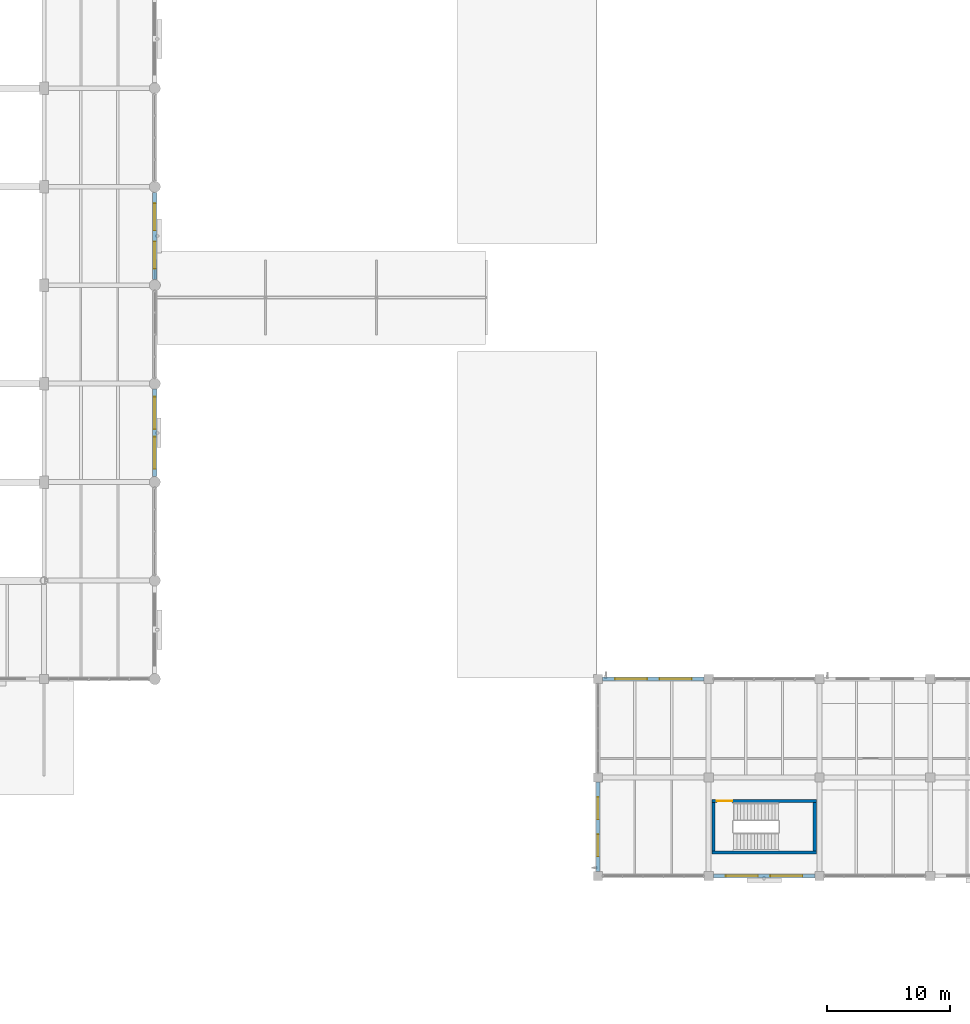
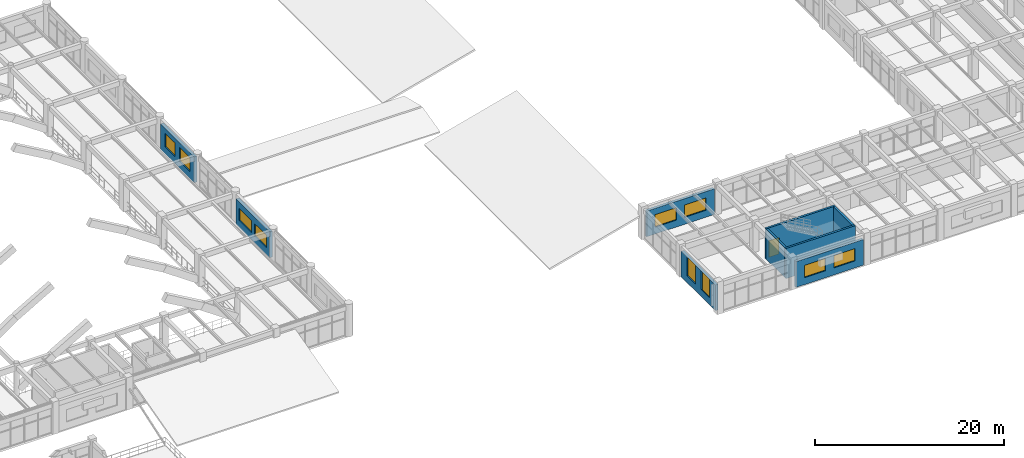
# One storey, part 125 of 148: 10 windows, 9 walls, 1 door, 11 openings.
"""IFC4 building model written with IfcOpenShell, lengths in metres."""

from ifc_helpers import new_model, si_unit, derived_unit, direction, frame, frame_2d, origin, place, context, subcontext, project, spatial, rectangle, extrude, material, layer, layer_set, type_object, element, fill, save


model = new_model("IFC4")

# Units and contexts
model_context = context("Model", 3, precision=1e-05, world=origin(), true_north=direction((0.0, 1.0)))
body_context = subcontext(model_context, "Body", "Model", "MODEL_VIEW")
ifc_project = project(units=[si_unit("LENGTHUNIT", "METRE"), si_unit("AREAUNIT", "SQUARE_METRE"), si_unit("VOLUMEUNIT", "CUBIC_METRE"), si_unit("PLANEANGLEUNIT", "RADIAN"), si_unit("MASSUNIT", "GRAM", prefix="KILO"), derived_unit("THERMALTRANSMITTANCEUNIT", [(si_unit("MASSUNIT", "GRAM", prefix="KILO"), 1), (si_unit("TIMEUNIT", "SECOND"), -3), (si_unit("THERMODYNAMICTEMPERATUREUNIT", "KELVIN"), -1)])], contexts=[model_context])

# Site, building, storey
site_placement = place(None, origin())
site = spatial("IfcSite", under=ifc_project, at=site_placement, CompositionType="ELEMENT")
building_placement = place(site_placement, origin())
building = spatial("IfcBuilding", under=site, at=building_placement, Name="Zhenchuan Archway Interchange", CompositionType="ELEMENT")
storey_placement = place(building_placement, frame((0.0, 0.0, 10.199951171875)))
storey = spatial("IfcBuildingStorey", under=building, at=storey_placement, Name="L02", CompositionType="ELEMENT", Elevation=10.199951171875)

# Wall, openings, windows
ifc_material_1 = material(Name="Granite Stone Cladding", Category="masonry")
ifc_layer_1 = layer(ifc_material_1, 0.320068359375)
ifc_layer_set_1 = layer_set([ifc_layer_1], Name="Granite Stone Cladding")
wall_type_1 = type_object("IfcWallType", Name="EW_GRANITE_320", PredefinedType="STANDARD", material=ifc_layer_set_1)
wall_1_placement = place(storey_placement, frame((125.626953125, 8.0, 0.0), z_axis=(0.0, 0.0, 1.0), x_axis=(-1.0, 0.0, 0.0)))
wall_1 = element("IfcWall", 1, at=wall_1_placement, inside=storey, type_object=wall_type_1, Name="Exterior wall L02-103", PredefinedType="STANDARD", context=body_context, shape_type="SweptSolid", body=[
    extrude(rectangle(XDim=8.25390625, YDim=0.320068359375, at=frame_2d((4.126953125, 0.0))), origin(), (0.0, 0.0, 1.0), 3.320068359375),
])
opening_1_placement = place(wall_1_placement, frame((1.01806640625, 0.0, 0.89990234375)))
opening_1 = element("IfcOpeningElement", 2, at=opening_1_placement, cuts=wall_1, Name="Opening W-09", PredefinedType="OPENING", context=body_context, shape_type="SweptSolid", body=[
    extrude(rectangle(XDim=2.60009765625, YDim=1.60009765625, at=frame_2d((1.300048828125, 0.800048828125))), frame((0.0, 0.171875, 0.0), z_axis=(0.0, -1.0, 0.0), x_axis=(1.0, 0.0, 0.0)), (0.0, 0.0, 1.0), 0.343994140625),
])
opening_2_placement = place(wall_1_placement, frame((4.635986328125, 0.0, 0.89990234375)))
opening_2 = element("IfcOpeningElement", 3, at=opening_2_placement, cuts=wall_1, Name="Opening W-09", PredefinedType="OPENING", context=body_context, shape_type="SweptSolid", body=[
    extrude(rectangle(XDim=2.60009765625, YDim=1.60009765625, at=frame_2d((1.300048828125, 0.800048828125))), frame((0.0, 0.171875, 0.0), z_axis=(0.0, -1.0, 0.0), x_axis=(1.0, 0.0, 0.0)), (0.0, 0.0, 1.0), 0.343994140625),
])
ifc_material_2 = material(Name="Double Low-E Insulated Glazing", Category="glass")
window_type_1 = type_object("IfcWindowType", Name="WN_MOD_2600x1600", PartitioningType="SINGLE_PANEL", PredefinedType="WINDOW", material=ifc_material_2)
window_1_placement = place(opening_1_placement, origin())
window_1 = element("IfcWindow", 4, at=window_1_placement, inside=storey, type_object=window_type_1, Name="Window L02-0250", OverallHeight=1.60009765625, OverallWidth=2.60009765625, PartitioningType="SINGLE_PANEL", PredefinedType="WINDOW", context=body_context, shape_type="SweptSolid", body=[
    extrude(rectangle(XDim=2.60009765625, YDim=1.60009765625, at=frame_2d((1.300048828125, 0.800048828125))), frame((0.0, 0.030029296875, 0.0), z_axis=(0.0, -1.0, 0.0), x_axis=(1.0, 0.0, 0.0)), (0.0, 0.0, 1.0), 0.06005859375),
])
fill(opening_1, window_1)
window_2_placement = place(opening_2_placement, origin())
window_2 = element("IfcWindow", 5, at=window_2_placement, inside=storey, type_object=window_type_1, Name="Window L02-0251", OverallHeight=1.60009765625, OverallWidth=2.60009765625, PartitioningType="SINGLE_PANEL", PredefinedType="WINDOW", context=body_context, shape_type="SweptSolid", body=[
    extrude(rectangle(XDim=2.60009765625, YDim=1.60009765625, at=frame_2d((1.300048828125, 0.800048828125))), frame((0.0, 0.030029296875, 0.0), z_axis=(0.0, -1.0, 0.0), x_axis=(1.0, 0.0, 0.0)), (0.0, 0.0, 1.0), 0.06005859375),
])
fill(opening_2, window_2)

wall_2_placement = place(storey_placement, frame((108.0, 8.373046875, 0.0), z_axis=(0.0, 0.0, 1.0), x_axis=(0.0, 1.0, 0.0)))
wall_2 = element("IfcWall", 6, at=wall_2_placement, inside=storey, type_object=wall_type_1, Name="Exterior wall L02-105", PredefinedType="STANDARD", context=body_context, shape_type="SweptSolid", body=[
    extrude(rectangle(XDim=7.25390625, YDim=0.320068359375, at=frame_2d((3.626953125, 0.0))), origin(), (0.0, 0.0, 1.0), 3.320068359375),
])
opening_3_placement = place(wall_2_placement, frame((1.218017578125, 0.0, 0.89990234375)))
opening_3 = element("IfcOpeningElement", 7, at=opening_3_placement, cuts=wall_2, Name="Opening W-03", PredefinedType="OPENING", context=body_context, shape_type="SweptSolid", body=[
    extrude(rectangle(XDim=1.800048828125, YDim=2.39990234375, at=frame_2d((0.89990234375, 1.199951171875))), frame((0.0, 0.171875, 0.0), z_axis=(0.0, -1.0, 0.0), x_axis=(1.0, 0.0, 0.0)), (0.0, 0.0, 1.0), 0.343994140625),
])
opening_4_placement = place(wall_2_placement, frame((4.236083984375, 0.0, 0.89990234375)))
opening_4 = element("IfcOpeningElement", 8, at=opening_4_placement, cuts=wall_2, Name="Opening W-03", PredefinedType="OPENING", context=body_context, shape_type="SweptSolid", body=[
    extrude(rectangle(XDim=1.800048828125, YDim=2.39990234375, at=frame_2d((0.89990234375, 1.199951171875))), frame((0.0, 0.171875, 0.0), z_axis=(0.0, -1.0, 0.0), x_axis=(1.0, 0.0, 0.0)), (0.0, 0.0, 1.0), 0.343994140625),
])
window_type_2 = type_object("IfcWindowType", Name="WN_PUNCH_1800x2400", PartitioningType="SINGLE_PANEL", PredefinedType="WINDOW", material=ifc_material_2)
window_3_placement = place(opening_3_placement, origin())
window_3 = element("IfcWindow", 9, at=window_3_placement, inside=storey, type_object=window_type_2, Name="Window L02-0252", OverallHeight=2.39990234375, OverallWidth=1.800048828125, PartitioningType="SINGLE_PANEL", PredefinedType="WINDOW", context=body_context, shape_type="SweptSolid", body=[
    extrude(rectangle(XDim=1.800048828125, YDim=2.39990234375, at=frame_2d((0.89990234375, 1.199951171875))), frame((0.0, 0.030029296875, 0.0), z_axis=(0.0, -1.0, 0.0), x_axis=(1.0, 0.0, 0.0)), (0.0, 0.0, 1.0), 0.06005859375),
])
fill(opening_3, window_3)
window_4_placement = place(opening_4_placement, origin())
window_4 = element("IfcWindow", 10, at=window_4_placement, inside=storey, type_object=window_type_2, Name="Window L02-0253", OverallHeight=2.39990234375, OverallWidth=1.800048828125, PartitioningType="SINGLE_PANEL", PredefinedType="WINDOW", context=body_context, shape_type="SweptSolid", body=[
    extrude(rectangle(XDim=1.800048828125, YDim=2.39990234375, at=frame_2d((0.89990234375, 1.199951171875))), frame((0.0, 0.030029296875, 0.0), z_axis=(0.0, -1.0, 0.0), x_axis=(1.0, 0.0, 0.0)), (0.0, 0.0, 1.0), 0.06005859375),
])
fill(opening_4, window_4)

wall_3_placement = place(storey_placement, frame((108.373046875, 24.0, 0.0), z_axis=(0.0, 0.0, 1.0), x_axis=(1.0, 0.0, 0.0)))
wall_3 = element("IfcWall", 11, at=wall_3_placement, inside=storey, type_object=wall_type_1, Name="Exterior wall L02-107", PredefinedType="STANDARD", context=body_context, shape_type="SweptSolid", body=[
    extrude(rectangle(XDim=8.25390625, YDim=0.320068359375, at=frame_2d((4.126953125, 0.0))), origin(), (0.0, 0.0, 1.0), 3.320068359375),
])
opening_5_placement = place(wall_3_placement, frame((1.01806640625, 0.0, 0.89990234375)))
opening_5 = element("IfcOpeningElement", 12, at=opening_5_placement, cuts=wall_3, Name="Opening W-09", PredefinedType="OPENING", context=body_context, shape_type="SweptSolid", body=[
    extrude(rectangle(XDim=2.60009765625, YDim=1.60009765625, at=frame_2d((1.300048828125, 0.800048828125))), frame((0.0, 0.171875, 0.0), z_axis=(0.0, -1.0, 0.0), x_axis=(1.0, 0.0, 0.0)), (0.0, 0.0, 1.0), 0.343994140625),
])
opening_6_placement = place(wall_3_placement, frame((4.635986328125, 0.0, 0.89990234375)))
opening_6 = element("IfcOpeningElement", 13, at=opening_6_placement, cuts=wall_3, Name="Opening W-09", PredefinedType="OPENING", context=body_context, shape_type="SweptSolid", body=[
    extrude(rectangle(XDim=2.60009765625, YDim=1.60009765625, at=frame_2d((1.300048828125, 0.800048828125))), frame((0.0, 0.171875, 0.0), z_axis=(0.0, -1.0, 0.0), x_axis=(1.0, 0.0, 0.0)), (0.0, 0.0, 1.0), 0.343994140625),
])
window_5_placement = place(opening_5_placement, origin())
window_5 = element("IfcWindow", 14, at=window_5_placement, inside=storey, type_object=window_type_1, Name="Window L02-0254", OverallHeight=1.60009765625, OverallWidth=2.60009765625, PartitioningType="SINGLE_PANEL", PredefinedType="WINDOW", context=body_context, shape_type="SweptSolid", body=[
    extrude(rectangle(XDim=2.60009765625, YDim=1.60009765625, at=frame_2d((1.300048828125, 0.800048828125))), frame((0.0, 0.030029296875, 0.0), z_axis=(0.0, -1.0, 0.0), x_axis=(1.0, 0.0, 0.0)), (0.0, 0.0, 1.0), 0.06005859375),
])
fill(opening_5, window_5)
window_6_placement = place(opening_6_placement, origin())
window_6 = element("IfcWindow", 15, at=window_6_placement, inside=storey, type_object=window_type_1, Name="Window L02-0255", OverallHeight=1.60009765625, OverallWidth=2.60009765625, PartitioningType="SINGLE_PANEL", PredefinedType="WINDOW", context=body_context, shape_type="SweptSolid", body=[
    extrude(rectangle(XDim=2.60009765625, YDim=1.60009765625, at=frame_2d((1.300048828125, 0.800048828125))), frame((0.0, 0.030029296875, 0.0), z_axis=(0.0, -1.0, 0.0), x_axis=(1.0, 0.0, 0.0)), (0.0, 0.0, 1.0), 0.06005859375),
])
fill(opening_6, window_6)

ifc_material_3 = material(Name="Terracotta Masonry", Category="masonry")
ifc_layer_2 = layer(ifc_material_3, 0.340087890625)
ifc_layer_set_2 = layer_set([ifc_layer_2], Name="Terracotta Masonry")
wall_type_2 = type_object("IfcWallType", Name="EW_TERRA_340", PredefinedType="STANDARD", material=ifc_layer_set_2)
wall_4_placement = place(storey_placement, frame((72.0, 63.552978515625, 0.0), z_axis=(0.0, 0.0, 1.0), x_axis=(0.0, -1.0, 0.0)))
wall_4 = element("IfcWall", 16, at=wall_4_placement, inside=storey, type_object=wall_type_2, Name="Exterior wall L02-021", PredefinedType="STANDARD", context=body_context, shape_type="SweptSolid", body=[
    extrude(rectangle(XDim=7.10595703125, YDim=0.340087890625, at=frame_2d((3.552978515625, 0.0))), origin(), (0.0, 0.0, 1.0), 3.340087890625),
])
opening_7_placement = place(wall_4_placement, frame((0.902099609375, 0.0, 0.89990234375)))
opening_7 = element("IfcOpeningElement", 17, at=opening_7_placement, cuts=wall_4, Name="Opening W-08", PredefinedType="OPENING", context=body_context, shape_type="SweptSolid", body=[
    extrude(rectangle(XDim=2.199951171875, YDim=1.800048828125, at=frame_2d((1.10009765625, 0.89990234375))), frame((0.0, 0.18212890625, 0.0), z_axis=(0.0, -1.0, 0.0), x_axis=(1.0, 0.0, 0.0)), (0.0, 0.0, 1.0), 0.364013671875),
])
opening_8_placement = place(wall_4_placement, frame((4.00390625, 0.0, 0.89990234375)))
opening_8 = element("IfcOpeningElement", 18, at=opening_8_placement, cuts=wall_4, Name="Opening W-08", PredefinedType="OPENING", context=body_context, shape_type="SweptSolid", body=[
    extrude(rectangle(XDim=2.199951171875, YDim=1.800048828125, at=frame_2d((1.10009765625, 0.89990234375))), frame((0.0, 0.18212890625, 0.0), z_axis=(0.0, -1.0, 0.0), x_axis=(1.0, 0.0, 0.0)), (0.0, 0.0, 1.0), 0.364013671875),
])
window_type_3 = type_object("IfcWindowType", Name="WN_MOD_2200x1800", PartitioningType="SINGLE_PANEL", PredefinedType="WINDOW", material=ifc_material_2)
window_7_placement = place(opening_7_placement, origin())
window_7 = element("IfcWindow", 19, at=window_7_placement, inside=storey, type_object=window_type_3, Name="Window L02-0202", OverallHeight=1.800048828125, OverallWidth=2.199951171875, PartitioningType="SINGLE_PANEL", PredefinedType="WINDOW", context=body_context, shape_type="SweptSolid", body=[
    extrude(rectangle(XDim=2.199951171875, YDim=1.800048828125, at=frame_2d((1.10009765625, 0.89990234375))), frame((0.0, 0.030029296875, 0.0), z_axis=(0.0, -1.0, 0.0), x_axis=(1.0, 0.0, 0.0)), (0.0, 0.0, 1.0), 0.06005859375),
])
fill(opening_7, window_7)
window_8_placement = place(opening_8_placement, origin())
window_8 = element("IfcWindow", 20, at=window_8_placement, inside=storey, type_object=window_type_3, Name="Window L02-0203", OverallHeight=1.800048828125, OverallWidth=2.199951171875, PartitioningType="SINGLE_PANEL", PredefinedType="WINDOW", context=body_context, shape_type="SweptSolid", body=[
    extrude(rectangle(XDim=2.199951171875, YDim=1.800048828125, at=frame_2d((1.10009765625, 0.89990234375))), frame((0.0, 0.030029296875, 0.0), z_axis=(0.0, -1.0, 0.0), x_axis=(1.0, 0.0, 0.0)), (0.0, 0.0, 1.0), 0.06005859375),
])
fill(opening_8, window_8)

wall_5_placement = place(storey_placement, frame((72.0, 47.552978515625, 0.0), z_axis=(0.0, 0.0, 1.0), x_axis=(0.0, -1.0, 0.0)))
wall_5 = element("IfcWall", 21, at=wall_5_placement, inside=storey, type_object=wall_type_2, Name="Exterior wall L02-023", PredefinedType="STANDARD", context=body_context, shape_type="SweptSolid", body=[
    extrude(rectangle(XDim=7.10595703125, YDim=0.340087890625, at=frame_2d((3.552978515625, 0.0))), origin(), (0.0, 0.0, 1.0), 3.340087890625),
])
opening_9_placement = place(wall_5_placement, frame((0.63525390625, 0.0, 0.89990234375)))
opening_9 = element("IfcOpeningElement", 22, at=opening_9_placement, cuts=wall_5, Name="Opening W-09", PredefinedType="OPENING", context=body_context, shape_type="SweptSolid", body=[
    extrude(rectangle(XDim=2.60009765625, YDim=1.60009765625, at=frame_2d((1.300048828125, 0.800048828125))), frame((0.0, 0.18212890625, 0.0), z_axis=(0.0, -1.0, 0.0), x_axis=(1.0, 0.0, 0.0)), (0.0, 0.0, 1.0), 0.364013671875),
])
opening_10_placement = place(wall_5_placement, frame((3.87060546875, 0.0, 0.89990234375)))
opening_10 = element("IfcOpeningElement", 23, at=opening_10_placement, cuts=wall_5, Name="Opening W-09", PredefinedType="OPENING", context=body_context, shape_type="SweptSolid", body=[
    extrude(rectangle(XDim=2.60009765625, YDim=1.60009765625, at=frame_2d((1.300048828125, 0.800048828125))), frame((0.0, 0.18212890625, 0.0), z_axis=(0.0, -1.0, 0.0), x_axis=(1.0, 0.0, 0.0)), (0.0, 0.0, 1.0), 0.364013671875),
])
window_9_placement = place(opening_9_placement, origin())
window_9 = element("IfcWindow", 24, at=window_9_placement, inside=storey, type_object=window_type_1, Name="Window L02-0204", OverallHeight=1.60009765625, OverallWidth=2.60009765625, PartitioningType="SINGLE_PANEL", PredefinedType="WINDOW", context=body_context, shape_type="SweptSolid", body=[
    extrude(rectangle(XDim=2.60009765625, YDim=1.60009765625, at=frame_2d((1.300048828125, 0.800048828125))), frame((0.0, 0.030029296875, 0.0), z_axis=(0.0, -1.0, 0.0), x_axis=(1.0, 0.0, 0.0)), (0.0, 0.0, 1.0), 0.06005859375),
])
fill(opening_9, window_9)
window_10_placement = place(opening_10_placement, origin())
window_10 = element("IfcWindow", 25, at=window_10_placement, inside=storey, type_object=window_type_1, Name="Window L02-0205", OverallHeight=1.60009765625, OverallWidth=2.60009765625, PartitioningType="SINGLE_PANEL", PredefinedType="WINDOW", context=body_context, shape_type="SweptSolid", body=[
    extrude(rectangle(XDim=2.60009765625, YDim=1.60009765625, at=frame_2d((1.300048828125, 0.800048828125))), frame((0.0, 0.030029296875, 0.0), z_axis=(0.0, -1.0, 0.0), x_axis=(1.0, 0.0, 0.0)), (0.0, 0.0, 1.0), 0.06005859375),
])
fill(opening_10, window_10)

# Wall
ifc_material_4 = material(Name="Concrete C40", Category="concrete")
ifc_layer_3 = layer(ifc_material_4, 0.25)
ifc_layer_set_3 = layer_set([ifc_layer_3], Name="Concrete C40")
wall_type_3 = type_object("IfcWallType", Name="WL_STAIR_250", PredefinedType="SHEAR", material=ifc_layer_set_3)
wall_6_placement = place(storey_placement, frame((117.2548828125, 9.89990234375, 0.0), z_axis=(0.0, 0.0, 1.0), x_axis=(1.0, 0.0, 0.0)))
element("IfcWall", 26, at=wall_6_placement, inside=storey, type_object=wall_type_3, Name="Stair ST-O5 south wall (L02)", PredefinedType="SHEAR", context=body_context, shape_type="SweptSolid", body=[
    extrude(rectangle(XDim=8.490234375, YDim=0.25, at=frame_2d((4.2451171875, 0.0))), origin(), (0.0, 0.0, 1.0), 3.89013671875),
])

# Wall, opening, door
wall_7_placement = place(storey_placement, frame((125.7451171875, 14.10009765625, 0.0), z_axis=(0.0, 0.0, 1.0), x_axis=(-1.0, 0.0, 0.0)))
wall_7 = element("IfcWall", 27, at=wall_7_placement, inside=storey, type_object=wall_type_3, Name="Stair ST-O5 north wall (L02)", PredefinedType="SHEAR", context=body_context, shape_type="SweptSolid", body=[
    extrude(rectangle(XDim=8.490234375, YDim=0.25, at=frame_2d((4.2451171875, 0.0))), origin(), (0.0, 0.0, 1.0), 3.89013671875),
])
opening_11_placement = place(wall_7_placement, frame((6.8349609375, 0.0, 0.0)))
opening_11 = element("IfcOpeningElement", 28, at=opening_11_placement, cuts=wall_7, Name="Opening FD-01", PredefinedType="OPENING", context=body_context, shape_type="SweptSolid", body=[
    extrude(rectangle(XDim=1.25, YDim=2.14990234375, at=frame_2d((0.625, 1.074951171875))), frame((0.0, 0.136962890625, 0.0), z_axis=(0.0, -1.0, 0.0), x_axis=(1.0, 0.0, 0.0)), (0.0, 0.0, 1.0), 0.27392578125),
])
ifc_material_5 = material(Name="Painted Galvanised Steel", Category="steel")
door_type = type_object("IfcDoorType", Name="DR_STAIR_FD90", OperationType="NOTDEFINED", PredefinedType="DOOR", material=ifc_material_5)
door_placement = place(opening_11_placement, origin())
door = element("IfcDoor", 29, at=door_placement, inside=storey, type_object=door_type, Name="Stair ST-O5 fire door (L02)", OperationType="SINGLE_SWING_LEFT", OverallHeight=2.14990234375, OverallWidth=1.25, PredefinedType="DOOR", context=body_context, shape_type="SweptSolid", body=[
    extrude(rectangle(XDim=1.25, YDim=2.14990234375, at=frame_2d((0.625, 1.074951171875))), frame((0.0, 0.02490234375, 0.0), z_axis=(0.0, -1.0, 0.0), x_axis=(1.0, 0.0, 0.0)), (0.0, 0.0, 1.0), 0.050048828125),
])
fill(opening_11, door)

# Walls
for number, where, z_axis, x_axis, name in (
    (30, (117.3798828125, 13.97509765625, 0.0), (0.0, 0.0, 1.0), (0.0, -1.0, 0.0), "Stair ST-O5 west wall (L02)"),
    (31, (125.6201171875, 10.02490234375, 0.0), (0.0, 0.0, 1.0), (0.0, 1.0, 0.0), "Stair ST-O5 east wall (L02)"),
):
    element("IfcWall", number, at=place(storey_placement, frame(where, z_axis=z_axis, x_axis=x_axis)), inside=storey, type_object=wall_type_3, Name=name, PredefinedType="SHEAR", context=body_context, shape_type="SweptSolid", body=[
        extrude(rectangle(XDim=3.9501953125, YDim=0.25, at=frame_2d((1.97509765625, 0.0))), origin(), (0.0, 0.0, 1.0), 3.89013671875),
    ])

save(model, "model.ifc")
